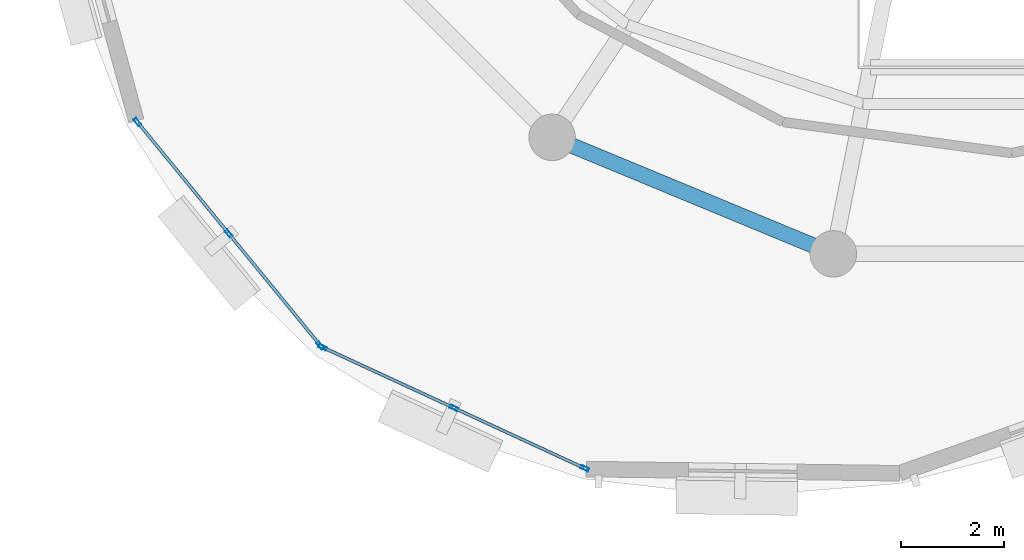
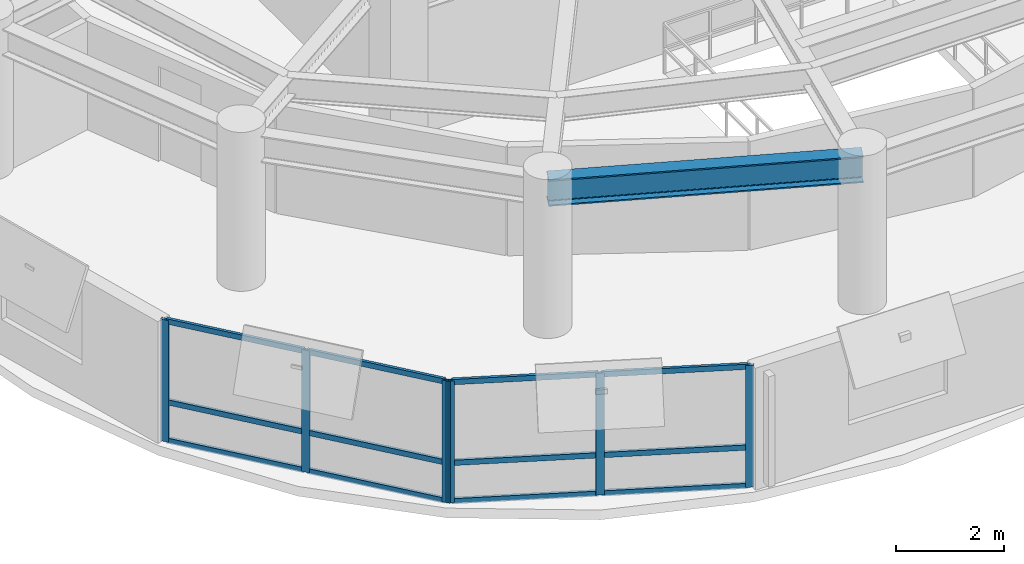
# One storey, part 2 of 11: 18 members, 1 beam, 2 elements without a shape of their own.
"""IFC4 building model written with IfcOpenShell, lengths in metres."""

from ifc_helpers import new_model, si_unit, direction, frame, origin, origin_2d, place, context, subcontext, project, spatial, hollow_rectangle, i_section, extrude, material, layer, layer_set, material_profile, profile_set, type_object, element, aggregate, save


model = new_model("IFC4")

# Units and contexts
model_context = context("Model", 3, precision=1e-05, world=origin(), true_north=direction((0.0, 1.0)))
body_context = subcontext(model_context, "Body", "Model", "MODEL_VIEW")
ifc_project = project(units=[si_unit("LENGTHUNIT", "METRE"), si_unit("AREAUNIT", "SQUARE_METRE"), si_unit("VOLUMEUNIT", "CUBIC_METRE"), si_unit("PLANEANGLEUNIT", "RADIAN"), si_unit("MASSUNIT", "GRAM", prefix="KILO"), si_unit("THERMODYNAMICTEMPERATUREUNIT", "KELVIN"), si_unit("POWERUNIT", "WATT")], contexts=[model_context])

# Site, building, storey
site_placement = place(None, origin())
site = spatial("IfcSite", under=ifc_project, at=site_placement, CompositionType="ELEMENT")
building_placement = place(site_placement, origin())
building = spatial("IfcBuilding", under=site, at=building_placement, Name="Ocrelia Relay Tower", CompositionType="ELEMENT")
storey_placement = place(building_placement, frame((0.0, 0.0, 248.39990234375)))
storey = spatial("IfcBuildingStorey", under=building, at=storey_placement, Name="L61", CompositionType="ELEMENT", Elevation=248.39990234375)

# Beam
ifc_material_1 = material(Name="Steel S355", Category="steel")
ifc_material_profile_1 = material_profile(ifc_material_1, i_section(OverallWidth=0.300048828125, OverallDepth=0.60009765625, WebThickness=0.015380859375, FlangeThickness=0.030029296875, FilletRadius=0.027099609375, at=origin_2d()), Name="HEB 600")
ifc_profile_set_1 = profile_set([ifc_material_profile_1], Name="Steel S355")
beam_type = type_object("IfcBeamType", Name="BM-HEB600", PredefinedType="BEAM", material=ifc_profile_set_1)
beam_placement = place(storey_placement, frame((25.61083984375, 13.44482421875, 3.080078125), z_axis=(0.923884009374, -0.382672624084, 0.0), x_axis=(0.382672624084, 0.923884009374, 0.0)))
element("IfcBeam", 1, at=beam_placement, inside=storey, type_object=beam_type, Name="L61 Perimeter Spandrel Beam S11", PredefinedType="BEAM", context=body_context, shape_type="SweptSolid", body=[
    extrude(i_section(OverallWidth=0.300048828125, OverallDepth=0.60009765625, WebThickness=0.015380859375, FlangeThickness=0.030029296875, FilletRadius=0.027099609375, at=origin_2d()), origin(), (0.0, 0.0, 1.0), 5.891845703125),
])

# Curtain wall, members
ifc_material_2 = material(Name="Aluminium and solar-control low-E glass", Category="aluminium")
ifc_layer = layer(ifc_material_2, 0.179931640625, Name="Aluminium and solar-control low-E glass")
ifc_layer_set = layer_set([ifc_layer], Name="Aluminium and solar-control low-E glass")
curtain_wall_type = type_object("IfcCurtainWallType", Name="CW-SYS-Z4-EXEC", PredefinedType="NOTDEFINED", material=ifc_layer_set)
curtain_wall_1_placement = place(storey_placement, origin())
curtain_wall_1 = element("IfcCurtainWall", 2, at=curtain_wall_1_placement, inside=storey, type_object=curtain_wall_type, Name="L61 Elliptical Tower Curtain Wall Bay 09", PredefinedType="NOTDEFINED")
ifc_material_3 = material(Name="Anodised bronze aluminium", Category="aluminium")
ifc_material_profile_2 = material_profile(ifc_material_3, hollow_rectangle(XDim=0.06494140625, YDim=0.159912109375, WallThickness=0.0048828125, at=origin_2d()), Name="CW-MUL-160x65")
ifc_profile_set_2 = profile_set([ifc_material_profile_2], Name="Anodised bronze aluminium")
member_type_1 = type_object("IfcMemberType", Name="CW-SYS-Z4-EXEC-MUL", PredefinedType="MULLION", material=ifc_profile_set_2)
member_1_placement = place(storey_placement, frame((17.58544921875, 13.742919921875, 0.0), z_axis=(0.0, 0.0, 1.0), x_axis=(0.773868976189, 0.63334572525, 0.0)))
member_1 = element("IfcMember", 3, at=member_1_placement, type_object=member_type_1, Name="CW-Z4 mullion 1", PredefinedType="MULLION", context=body_context, shape_type="SweptSolid", body=[
    extrude(hollow_rectangle(XDim=0.06494140625, YDim=0.159912109375, WallThickness=0.0048828125, at=origin_2d()), origin(), (0.0, 0.0, 1.0), 2.760009765625),
])
member_2_placement = place(storey_placement, frame((19.35400390625, 11.581787109375, 0.0), z_axis=(0.0, 0.0, 1.0), x_axis=(0.773868976189, 0.63334572525, 0.0)))
member_2 = element("IfcMember", 4, at=member_2_placement, type_object=member_type_1, Name="CW-Z4 mullion 2", PredefinedType="MULLION", context=body_context, shape_type="SweptSolid", body=[
    extrude(hollow_rectangle(XDim=0.06494140625, YDim=0.159912109375, WallThickness=0.0048828125, at=origin_2d()), origin(), (0.0, 0.0, 1.0), 2.760009765625),
])
member_3_placement = place(storey_placement, frame((21.122802734375, 9.420654296875, 0.0), z_axis=(0.0, 0.0, 1.0), x_axis=(0.773868976189, 0.63334572525, 0.0)))
member_3 = element("IfcMember", 5, at=member_3_placement, type_object=member_type_1, Name="CW-Z4 mullion 3", PredefinedType="MULLION", context=body_context, shape_type="SweptSolid", body=[
    extrude(hollow_rectangle(XDim=0.06494140625, YDim=0.159912109375, WallThickness=0.0048828125, at=origin_2d()), origin(), (0.0, 0.0, 1.0), 2.760009765625),
])

curtain_wall_2_placement = place(storey_placement, origin())
curtain_wall_2 = element("IfcCurtainWall", 6, at=curtain_wall_2_placement, inside=storey, type_object=curtain_wall_type, Name="L61 Elliptical Tower Curtain Wall Bay 10", PredefinedType="NOTDEFINED")
member_4_placement = place(storey_placement, frame((21.1728515625, 9.3818359375, 0.0), z_axis=(0.0, 0.0, 1.0), x_axis=(0.41941280088, 0.907795628133, 0.0)))
member_4 = element("IfcMember", 7, at=member_4_placement, type_object=member_type_1, Name="CW-Z4 mullion 1", PredefinedType="MULLION", context=body_context, shape_type="SweptSolid", body=[
    extrude(hollow_rectangle(XDim=0.06494140625, YDim=0.159912109375, WallThickness=0.0048828125, at=origin_2d()), origin(), (0.0, 0.0, 1.0), 2.760009765625),
])
member_5_placement = place(storey_placement, frame((23.7080078125, 8.210693359375, 0.0), z_axis=(0.0, 0.0, 1.0), x_axis=(0.41941280088, 0.907795628133, 0.0)))
member_5 = element("IfcMember", 8, at=member_5_placement, type_object=member_type_1, Name="CW-Z4 mullion 2", PredefinedType="MULLION", context=body_context, shape_type="SweptSolid", body=[
    extrude(hollow_rectangle(XDim=0.06494140625, YDim=0.159912109375, WallThickness=0.0048828125, at=origin_2d()), origin(), (0.0, 0.0, 1.0), 2.760009765625),
])
member_6_placement = place(storey_placement, frame((26.2431640625, 7.039306640625, 0.0), z_axis=(0.0, 0.0, 1.0), x_axis=(0.41941280088, 0.907795628133, 0.0)))
member_6 = element("IfcMember", 9, at=member_6_placement, type_object=member_type_1, Name="CW-Z4 mullion 3", PredefinedType="MULLION", context=body_context, shape_type="SweptSolid", body=[
    extrude(hollow_rectangle(XDim=0.06494140625, YDim=0.159912109375, WallThickness=0.0048828125, at=origin_2d()), origin(), (0.0, 0.0, 1.0), 2.760009765625),
])

# Member
ifc_material_profile_3 = material_profile(ifc_material_3, hollow_rectangle(XDim=0.06005859375, YDim=0.1201171875, WallThickness=0.0048828125, at=origin_2d()), Name="CW-TRN-120x60")
ifc_profile_set_3 = profile_set([ifc_material_profile_3], Name="Anodised bronze aluminium")
member_type_2 = type_object("IfcMemberType", Name="CW-SYS-Z4-EXEC-TRN", PredefinedType="USERDEFINED", material=ifc_profile_set_3)
member_7_placement = place(storey_placement, frame((17.60595703125, 13.7177734375, 0.030029296875), z_axis=(0.633345014235, -0.773869558094, 0.0), x_axis=(0.773869558094, 0.633345014235, 0.0)))
member_7 = element("IfcMember", 10, at=member_7_placement, type_object=member_type_2, Name="CW-Z4 transom 1.1", ObjectType="TRANSOM", PredefinedType="USERDEFINED", context=body_context, shape_type="SweptSolid", body=[
    extrude(hollow_rectangle(XDim=0.06005859375, YDim=0.1201171875, WallThickness=0.0048828125, at=origin_2d()), origin(), (0.0, 0.0, 1.0), 2.7275390625),
])

member_8_placement = place(storey_placement, frame((17.60595703125, 13.7177734375, 0.900146484375), z_axis=(0.633345014235, -0.773869558094, 0.0), x_axis=(0.773869558094, 0.633345014235, 0.0)))
member_8 = element("IfcMember", 11, at=member_8_placement, type_object=member_type_2, Name="CW-Z4 transom 1.2", ObjectType="TRANSOM", PredefinedType="USERDEFINED", context=body_context, shape_type="SweptSolid", body=[
    extrude(hollow_rectangle(XDim=0.06005859375, YDim=0.1201171875, WallThickness=0.0048828125, at=origin_2d()), origin(), (0.0, 0.0, 1.0), 2.7275390625),
])

member_9_placement = place(storey_placement, frame((17.60595703125, 13.7177734375, 2.72998046875), z_axis=(0.633345014235, -0.773869558094, 0.0), x_axis=(0.773869558094, 0.633345014235, 0.0)))
member_9 = element("IfcMember", 12, at=member_9_placement, type_object=member_type_2, Name="CW-Z4 transom 1.3", ObjectType="TRANSOM", PredefinedType="USERDEFINED", context=body_context, shape_type="SweptSolid", body=[
    extrude(hollow_rectangle(XDim=0.06005859375, YDim=0.1201171875, WallThickness=0.0048828125, at=origin_2d()), origin(), (0.0, 0.0, 1.0), 2.7275390625),
])

member_10_placement = place(storey_placement, frame((19.374755859375, 11.556640625, 0.030029296875), z_axis=(0.633345014235, -0.773869558094, 0.0), x_axis=(0.773869558094, 0.633345014235, 0.0)))
member_10 = element("IfcMember", 13, at=member_10_placement, type_object=member_type_2, Name="CW-Z4 transom 2.1", ObjectType="TRANSOM", PredefinedType="USERDEFINED", context=body_context, shape_type="SweptSolid", body=[
    extrude(hollow_rectangle(XDim=0.06005859375, YDim=0.1201171875, WallThickness=0.0048828125, at=origin_2d()), origin(), (0.0, 0.0, 1.0), 2.7275390625),
])

member_11_placement = place(storey_placement, frame((19.374755859375, 11.556640625, 0.900146484375), z_axis=(0.633345014235, -0.773869558094, 0.0), x_axis=(0.773869558094, 0.633345014235, 0.0)))
member_11 = element("IfcMember", 14, at=member_11_placement, type_object=member_type_2, Name="CW-Z4 transom 2.2", ObjectType="TRANSOM", PredefinedType="USERDEFINED", context=body_context, shape_type="SweptSolid", body=[
    extrude(hollow_rectangle(XDim=0.06005859375, YDim=0.1201171875, WallThickness=0.0048828125, at=origin_2d()), origin(), (0.0, 0.0, 1.0), 2.7275390625),
])

member_12_placement = place(storey_placement, frame((19.374755859375, 11.556640625, 2.72998046875), z_axis=(0.633345014235, -0.773869558094, 0.0), x_axis=(0.773869558094, 0.633345014235, 0.0)))
member_12 = element("IfcMember", 15, at=member_12_placement, type_object=member_type_2, Name="CW-Z4 transom 2.3", ObjectType="TRANSOM", PredefinedType="USERDEFINED", context=body_context, shape_type="SweptSolid", body=[
    extrude(hollow_rectangle(XDim=0.06005859375, YDim=0.1201171875, WallThickness=0.0048828125, at=origin_2d()), origin(), (0.0, 0.0, 1.0), 2.7275390625),
])

aggregate(curtain_wall_1, [member_1, member_2, member_3, member_7, member_8, member_9, member_10, member_11, member_12])

member_13_placement = place(storey_placement, frame((21.202392578125, 9.3681640625, 0.030029296875), z_axis=(0.907786404668, -0.419432763979, 0.0), x_axis=(0.419432763979, 0.907786404668, 0.0)))
member_13 = element("IfcMember", 16, at=member_13_placement, type_object=member_type_2, Name="CW-Z4 transom 1.1", ObjectType="TRANSOM", PredefinedType="USERDEFINED", context=body_context, shape_type="SweptSolid", body=[
    extrude(hollow_rectangle(XDim=0.06005859375, YDim=0.1201171875, WallThickness=0.0048828125, at=origin_2d()), origin(), (0.0, 0.0, 1.0), 2.7275390625),
])

member_14_placement = place(storey_placement, frame((21.202392578125, 9.3681640625, 0.900146484375), z_axis=(0.907786404668, -0.419432763979, 0.0), x_axis=(0.419432763979, 0.907786404668, 0.0)))
member_14 = element("IfcMember", 17, at=member_14_placement, type_object=member_type_2, Name="CW-Z4 transom 1.2", ObjectType="TRANSOM", PredefinedType="USERDEFINED", context=body_context, shape_type="SweptSolid", body=[
    extrude(hollow_rectangle(XDim=0.06005859375, YDim=0.1201171875, WallThickness=0.0048828125, at=origin_2d()), origin(), (0.0, 0.0, 1.0), 2.7275390625),
])

member_15_placement = place(storey_placement, frame((21.202392578125, 9.3681640625, 2.72998046875), z_axis=(0.907786404668, -0.419432763979, 0.0), x_axis=(0.419432763979, 0.907786404668, 0.0)))
member_15 = element("IfcMember", 18, at=member_15_placement, type_object=member_type_2, Name="CW-Z4 transom 1.3", ObjectType="TRANSOM", PredefinedType="USERDEFINED", context=body_context, shape_type="SweptSolid", body=[
    extrude(hollow_rectangle(XDim=0.06005859375, YDim=0.1201171875, WallThickness=0.0048828125, at=origin_2d()), origin(), (0.0, 0.0, 1.0), 2.7275390625),
])

member_16_placement = place(storey_placement, frame((23.737548828125, 8.197021484375, 0.030029296875), z_axis=(0.907786404668, -0.419432763979, 0.0), x_axis=(0.419432763979, 0.907786404668, 0.0)))
member_16 = element("IfcMember", 19, at=member_16_placement, type_object=member_type_2, Name="CW-Z4 transom 2.1", ObjectType="TRANSOM", PredefinedType="USERDEFINED", context=body_context, shape_type="SweptSolid", body=[
    extrude(hollow_rectangle(XDim=0.06005859375, YDim=0.1201171875, WallThickness=0.0048828125, at=origin_2d()), origin(), (0.0, 0.0, 1.0), 2.7275390625),
])

member_17_placement = place(storey_placement, frame((23.737548828125, 8.197021484375, 0.900146484375), z_axis=(0.907786404668, -0.419432763979, 0.0), x_axis=(0.419432763979, 0.907786404668, 0.0)))
member_17 = element("IfcMember", 20, at=member_17_placement, type_object=member_type_2, Name="CW-Z4 transom 2.2", ObjectType="TRANSOM", PredefinedType="USERDEFINED", context=body_context, shape_type="SweptSolid", body=[
    extrude(hollow_rectangle(XDim=0.06005859375, YDim=0.1201171875, WallThickness=0.0048828125, at=origin_2d()), origin(), (0.0, 0.0, 1.0), 2.7275390625),
])

member_18_placement = place(storey_placement, frame((23.737548828125, 8.197021484375, 2.72998046875), z_axis=(0.907786404668, -0.419432763979, 0.0), x_axis=(0.419432763979, 0.907786404668, 0.0)))
member_18 = element("IfcMember", 21, at=member_18_placement, type_object=member_type_2, Name="CW-Z4 transom 2.3", ObjectType="TRANSOM", PredefinedType="USERDEFINED", context=body_context, shape_type="SweptSolid", body=[
    extrude(hollow_rectangle(XDim=0.06005859375, YDim=0.1201171875, WallThickness=0.0048828125, at=origin_2d()), origin(), (0.0, 0.0, 1.0), 2.7275390625),
])

aggregate(curtain_wall_2, [member_4, member_5, member_6, member_13, member_14, member_15, member_16, member_17, member_18])

save(model, "model.ifc")
